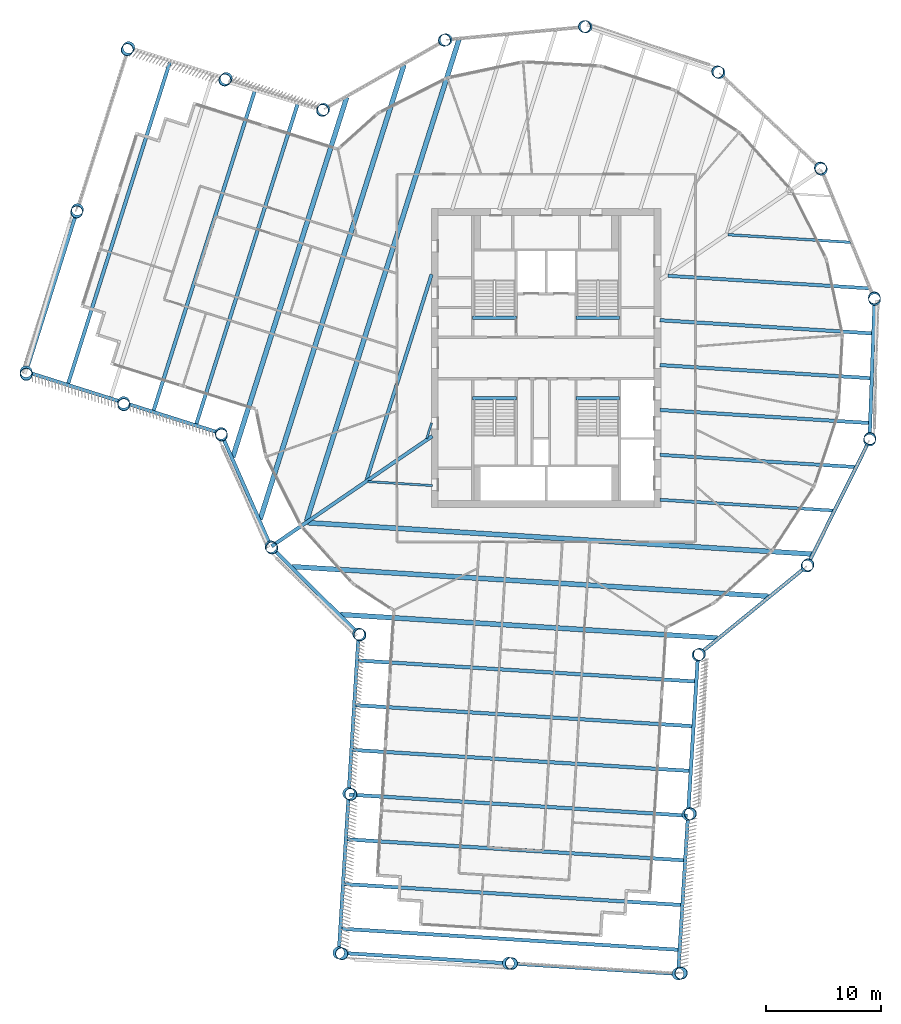
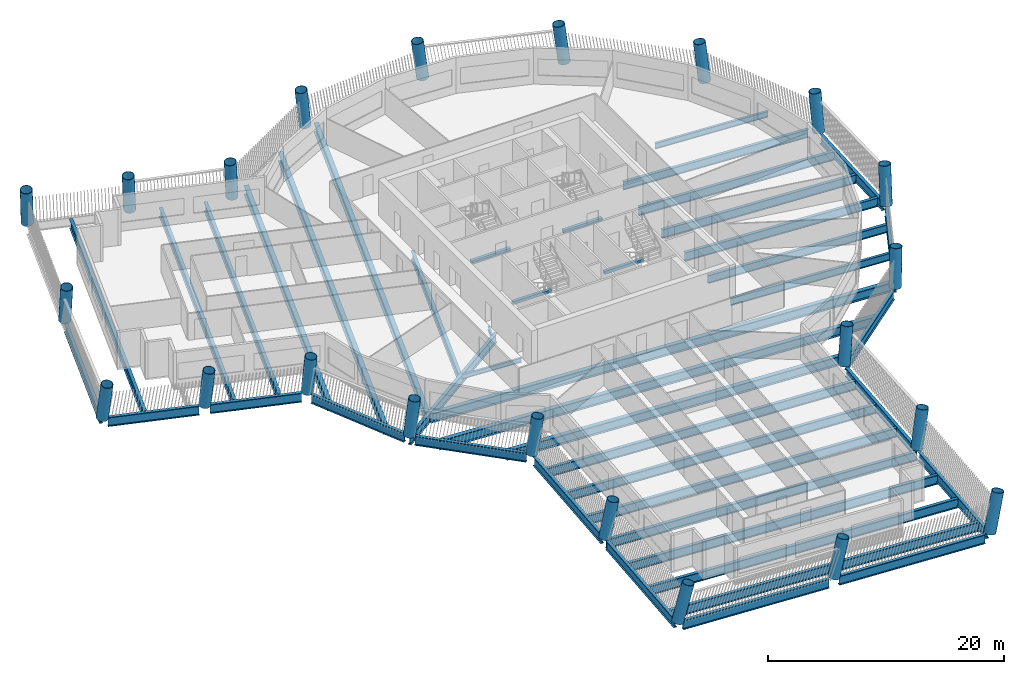
# One storey, part 1 of 15: 45 beams, 22 columns.
"""IFC4 building model written with IfcOpenShell, lengths in metres."""

from ifc_helpers import new_model, si_unit, direction, frame, origin, origin_2d, place, context, subcontext, project, spatial, rectangle, hollow_circle, i_section, extrude, material, material_profile, profile_set, type_object, element, save


model = new_model("IFC4")

# Units and contexts
model_context = context("Model", 3, precision=1e-05, world=origin(), true_north=direction((0.0, 1.0)))
body_context = subcontext(model_context, "Body", "Model", "MODEL_VIEW")
ifc_project = project(units=[si_unit("LENGTHUNIT", "METRE"), si_unit("AREAUNIT", "SQUARE_METRE"), si_unit("VOLUMEUNIT", "CUBIC_METRE"), si_unit("PLANEANGLEUNIT", "RADIAN"), si_unit("MASSUNIT", "GRAM", prefix="KILO")], contexts=[model_context])

# Site, building, storey
site_placement = place(None, origin())
site = spatial("IfcSite", under=ifc_project, at=site_placement, CompositionType="ELEMENT")
building_placement = place(site_placement, origin())
building = spatial("IfcBuilding", under=site, at=building_placement, Name="Tarsis Ring Headquarters", CompositionType="ELEMENT")
storey_placement = place(building_placement, frame((0.0, 0.0, 212.10009765625)))
storey = spatial("IfcBuildingStorey", under=building, at=storey_placement, Name="L49", CompositionType="ELEMENT", Elevation=212.10009765625)

# Columns
ifc_material_1 = material(Name="Structural steel S355", Category="steel")
ifc_material_profile_1 = material_profile(ifc_material_1, hollow_circle(Radius=0.533447265625, WallThickness=0.044921875, at=origin_2d()), Name="CHS 1067x45")
ifc_profile_set_1 = profile_set([ifc_material_profile_1], Name="Structural steel S355")
column_type = type_object("IfcColumnType", Name="XC Exo column CHS 1067x45", PredefinedType="COLUMN", material=ifc_profile_set_1)
for number, where, z_axis, x_axis, name in (
    (1, (-23.956787109375, -16.42822265625, 0.0009765625), (0.070914036471, -0.101554369495, 0.992299304377), (0.819891423709, 0.572519041892, 0.0), "Exo column XC5 F1"),
    (2, (-16.323486328125, -24.0283203125, 0.0009765625), (0.103045915897, -0.068738711087, 0.992298608693), (0.5549317501, 0.83189587854, 0.0), "Exo column XC5 AK"),
):
    element("IfcColumn", number, at=place(storey_placement, frame(where, z_axis=z_axis, x_axis=x_axis)), inside=storey, type_object=column_type, Name=name, PredefinedType="COLUMN", context=body_context, shape_type="SweptSolid", body=[
        extrude(hollow_circle(Radius=0.533447265625, WallThickness=0.044921875, at=origin_2d()), origin(), (0.0, 0.0, 1.0), 3.92822265625),
    ])
column_1_placement = place(storey_placement, frame((-17.1865234375, -37.90380859375, 0.001220703125), z_axis=(0.160889180522, -0.071348709032, 0.984390183469), x_axis=(0.405390610197, 0.914143562666, 0.0)))
element("IfcColumn", 3, at=column_1_placement, inside=storey, type_object=column_type, Name="Exo column XC5 AI1", PredefinedType="COLUMN", context=body_context, shape_type="SweptSolid", body=[
    extrude(hollow_circle(Radius=0.533447265625, WallThickness=0.044921875, at=origin_2d()), origin(), (0.0, 0.0, 1.0), 3.958984375),
])
column_2_placement = place(storey_placement, frame((-18.049560546875, -51.779296875, 0.001708984375), z_axis=(0.21711577145, -0.07367299211, 0.973361716949), x_axis=(0.321330422008, 0.946967137705, 0.0)))
element("IfcColumn", 4, at=column_2_placement, inside=storey, type_object=column_type, Name="Exo column XC5 AT1", PredefinedType="COLUMN", context=body_context, shape_type="SweptSolid", body=[
    extrude(hollow_circle(Radius=0.533447265625, WallThickness=0.044921875, at=origin_2d()), origin(), (0.0, 0.0, 1.0), 4.003173828125),
])
column_3_placement = place(storey_placement, frame((-3.278076171875, -52.6982421875, 0.00146484375), z_axis=(0.220879225283, -0.011853546253, 0.975229132707), x_axis=(0.053588173051, 0.998563121545, 0.0)))
element("IfcColumn", 5, at=column_3_placement, inside=storey, type_object=column_type, Name="Exo column XC5 AT2", PredefinedType="COLUMN", context=body_context, shape_type="SweptSolid", body=[
    extrude(hollow_circle(Radius=0.533447265625, WallThickness=0.044921875, at=origin_2d()), origin(), (0.0, 0.0, 1.0), 3.99560546875),
])
column_4_placement = place(storey_placement, frame((11.4931640625, -53.616943359375, 0.001708984375), z_axis=(0.223821575601, 0.049948193574, 0.97334941324), x_axis=(-0.217803273675, 0.975992691559, 0.0)))
element("IfcColumn", 6, at=column_4_placement, inside=storey, type_object=column_type, Name="Exo column XC5 AT3", PredefinedType="COLUMN", context=body_context, shape_type="SweptSolid", body=[
    extrude(hollow_circle(Radius=0.533447265625, WallThickness=0.044921875, at=origin_2d()), origin(), (0.0, 0.0, 1.0), 4.003173828125),
])
column_5_placement = place(storey_placement, frame((12.3564453125, -39.74169921875, 0.001220703125), z_axis=(0.167610680211, 0.053711884644, 0.984388994924), x_axis=(-0.305169800508, 0.952297953824, 0.0)))
element("IfcColumn", 7, at=column_5_placement, inside=storey, type_object=column_type, Name="Exo column XC5 AO1", PredefinedType="COLUMN", context=body_context, shape_type="SweptSolid", body=[
    extrude(hollow_circle(Radius=0.533447265625, WallThickness=0.044921875, at=origin_2d()), origin(), (0.0, 0.0, 1.0), 3.958984375),
])
for number, where, z_axis, x_axis, name in (
    (8, (13.219482421875, -25.8662109375, 0.0009765625), (0.109820309139, 0.057302957004, 0.992298277142), (-0.462600300318, 0.886566952996, 0.0), "Exo column XC5 AJ"),
    (9, (22.7060546875, -18.11767578125, 0.0009765625), (0.07644550183, 0.097452477129, 0.992299904238), (-0.786805636916, 0.617200850387, 0.0), "Exo column XC5 R1"),
    (10, (28.1552734375, -7.147705078125, 0.0009765625), (0.029459635313, 0.120262435296, 0.99230493123), (-0.971283109207, 0.237926715124, 0.0), "Exo column XC5 R2"),
    (11, (28.5986328125, 5.093017578125, 0.0009765625), (-0.022747193141, 0.121753419025, 0.992299687675), (-0.982991272629, -0.183652274519, 0.0), "Exo column XC5 R3"),
    (12, (23.956787109375, 16.42822265625, 0.0009765625), (-0.070914036471, 0.101554369495, 0.992299304377), (-0.819891423709, -0.572519041892, 0.0), "Exo column XC5 R4"),
    (13, (15.055419921875, 24.842529296875, 0.0009765625), (-0.106464516103, 0.063269630702, 0.992301496846), (-0.510874967251, -0.85965502839, 0.0), "Exo column XC5 R5"),
    (14, (3.47705078125, 28.839599609375, 0.0009765625), (-0.123059050018, 0.01379752985, 0.992303430599), (-0.111423040694, -0.993773065646, 0.0), "Exo column XC5 R6"),
    (15, (-8.719482421875, 27.708984375, 0.0009765625), (-0.117776590297, -0.038160858281, 0.992306617772), (0.308234601826, -0.951310375344, 0.0), "Exo column XC5 R7"),
    (16, (-19.36572265625, 21.651611328125, 0.0009765625), (-0.091610400888, -0.083344333508, 0.99230099089), (0.672947502559, -0.73969024517, 0.0), "Exo column XC5 BJ"),
):
    element("IfcColumn", number, at=place(storey_placement, frame(where, z_axis=z_axis, x_axis=x_axis)), inside=storey, type_object=column_type, Name=name, PredefinedType="COLUMN", context=body_context, shape_type="SweptSolid", body=[
        extrude(hollow_circle(Radius=0.533447265625, WallThickness=0.044921875, at=origin_2d()), origin(), (0.0, 0.0, 1.0), 3.92822265625),
    ])
column_6_placement = place(storey_placement, frame((-27.85302734375, 24.33740234375, 0.001220703125), z_axis=(-0.102261857739, -0.119088975286, 0.987603325438), x_axis=(0.758672078362, -0.651472698978, 0.0)))
element("IfcColumn", 17, at=column_6_placement, inside=storey, type_object=column_type, Name="Exo column XC5 BO1", PredefinedType="COLUMN", context=body_context, shape_type="SweptSolid", body=[
    extrude(hollow_circle(Radius=0.533447265625, WallThickness=0.044921875, at=origin_2d()), origin(), (0.0, 0.0, 1.0), 3.9462890625),
])
column_7_placement = place(storey_placement, frame((-36.340576171875, 27.02294921875, 0.00146484375), z_axis=(-0.112660792735, -0.15417063722, 0.981600203952), x_axis=(0.807397022973, -0.590008514594, 0.0)))
element("IfcColumn", 18, at=column_7_placement, inside=storey, type_object=column_type, Name="Exo column XC5 BT3", PredefinedType="COLUMN", context=body_context, shape_type="SweptSolid", body=[
    extrude(hollow_circle(Radius=0.533447265625, WallThickness=0.044921875, at=origin_2d()), origin(), (0.0, 0.0, 1.0), 3.969970703125),
])
column_8_placement = place(storey_placement, frame((-40.8056640625, 12.91259765625, 0.001220703125), z_axis=(-0.053109955491, -0.172822999018, 0.983519976227), x_axis=(0.955882104327, -0.293750578941, 0.0)))
element("IfcColumn", 19, at=column_8_placement, inside=storey, type_object=column_type, Name="Exo column XC5 BT2", PredefinedType="COLUMN", context=body_context, shape_type="SweptSolid", body=[
    extrude(hollow_circle(Radius=0.533447265625, WallThickness=0.044921875, at=origin_2d()), origin(), (0.0, 0.0, 1.0), 3.96240234375),
])
column_9_placement = place(storey_placement, frame((-45.270751953125, -1.19775390625, 0.00146484375), z_axis=(0.006641587676, -0.190822653322, 0.981602060049), x_axis=(0.999394854779, 0.034783965297, 0.0)))
element("IfcColumn", 20, at=column_9_placement, inside=storey, type_object=column_type, Name="Exo column XC5 BT1", PredefinedType="COLUMN", context=body_context, shape_type="SweptSolid", body=[
    extrude(hollow_circle(Radius=0.533447265625, WallThickness=0.044921875, at=origin_2d()), origin(), (0.0, 0.0, 1.0), 3.969970703125),
])
column_10_placement = place(storey_placement, frame((-36.783447265625, -3.883544921875, 0.001220703125), z_axis=(0.017817107896, -0.155899694094, 0.987612189094), x_axis=(0.993532672656, 0.113546591161, 0.0)))
element("IfcColumn", 21, at=column_10_placement, inside=storey, type_object=column_type, Name="Exo column XC5 BI1", PredefinedType="COLUMN", context=body_context, shape_type="SweptSolid", body=[
    extrude(hollow_circle(Radius=0.533447265625, WallThickness=0.044921875, at=origin_2d()), origin(), (0.0, 0.0, 1.0), 3.9462890625),
])
column_11_placement = place(storey_placement, frame((-28.2958984375, -6.5693359375, 0.0009765625), z_axis=(0.029024729661, -0.120325217608, 0.992310136538), x_axis=(0.972117741237, 0.234493277457, 0.0)))
element("IfcColumn", 22, at=column_11_placement, inside=storey, type_object=column_type, Name="Exo column XC5 BK", PredefinedType="COLUMN", context=body_context, shape_type="SweptSolid", body=[
    extrude(hollow_circle(Radius=0.533447265625, WallThickness=0.044921875, at=origin_2d()), origin(), (0.0, 0.0, 1.0), 3.92822265625),
])

# Beams
ifc_material_profile_2 = material_profile(ifc_material_1, i_section(OverallWidth=0.177734375, OverallDepth=0.406494140625, WebThickness=0.0078125, FlangeThickness=0.0126953125, at=origin_2d()), Name="W16x40")
ifc_profile_set_2 = profile_set([ifc_material_profile_2], Name="Structural steel S355")
beam_type_1 = type_object("IfcBeamType", Name="FB Floor beam W16x40", PredefinedType="JOIST", material=ifc_profile_set_2)
beam_1_placement = place(storey_placement, frame((-9.9697265625, -5.652099609375, -0.36328125), z_axis=(-0.301749990625, -0.953387089884, 0.0), x_axis=(0.953387089884, -0.301749990625, 0.0)))
element("IfcBeam", 23, at=beam_1_placement, inside=storey, type_object=beam_type_1, Name="Floor beam FB1", PredefinedType="JOIST", context=body_context, shape_type="SweptSolid", body=[
    extrude(i_section(OverallWidth=0.177734375, OverallDepth=0.406494140625, WebThickness=0.0078125, FlangeThickness=0.0126953125, at=origin_2d()), origin(), (0.0, 0.0, 1.0), 1.435302734375),
])
ifc_material_profile_3 = material_profile(ifc_material_1, i_section(OverallWidth=0.1904296875, OverallDepth=0.457275390625, WebThickness=0.009033203125, FlangeThickness=0.014404296875, at=origin_2d()), Name="W18x50")
ifc_profile_set_3 = profile_set([ifc_material_profile_3], Name="Structural steel S355")
beam_type_2 = type_object("IfcBeamType", Name="FB Floor beam W18x50", PredefinedType="JOIST", material=ifc_profile_set_3)
beam_2_placement = place(storey_placement, frame((-15.521484375, -10.757080078125, -0.388671875), z_axis=(0.998071591214, -0.062073334142, 0.0), x_axis=(0.062073334142, 0.998071591214, 0.0)))
element("IfcBeam", 24, at=beam_2_placement, inside=storey, type_object=beam_type_2, Name="Floor beam FB2", PredefinedType="JOIST", context=body_context, shape_type="SweptSolid", body=[
    extrude(i_section(OverallWidth=0.1904296875, OverallDepth=0.457275390625, WebThickness=0.009033203125, FlangeThickness=0.014404296875, at=origin_2d()), origin(), (0.0, 0.0, 1.0), 5.632080078125),
])
ifc_material_profile_4 = material_profile(ifc_material_1, i_section(OverallWidth=0.228271484375, OverallDepth=0.607177734375, WebThickness=0.01123046875, FlangeThickness=0.017333984375, at=origin_2d()), Name="W24x76")
ifc_profile_set_4 = profile_set([ifc_material_profile_4], Name="Structural steel S355")
beam_type_3 = type_object("IfcBeamType", Name="FB Floor beam W24x76", PredefinedType="JOIST", material=ifc_profile_set_4)
beam_3_placement = place(storey_placement, frame((15.82421875, 10.738037109375, -0.463623046875), z_axis=(0.998071027693, -0.062082394282, 0.0), x_axis=(0.062082394282, 0.998071027693, 0.0)))
element("IfcBeam", 25, at=beam_3_placement, inside=storey, type_object=beam_type_3, Name="Floor beam FB4", PredefinedType="JOIST", context=body_context, shape_type="SweptSolid", body=[
    extrude(i_section(OverallWidth=0.228271484375, OverallDepth=0.607177734375, WebThickness=0.01123046875, FlangeThickness=0.017333984375, at=origin_2d()), origin(), (0.0, 0.0, 1.0), 10.6845703125),
])
ifc_material_profile_5 = material_profile(ifc_material_1, i_section(OverallWidth=0.2666015625, OverallDepth=0.7568359375, WebThickness=0.013916015625, FlangeThickness=0.019287109375, at=origin_2d()), Name="W30x108")
ifc_profile_set_5 = profile_set([ifc_material_profile_5], Name="Structural steel S355")
beam_type_4 = type_object("IfcBeamType", Name="FB Floor beam W30x108", PredefinedType="JOIST", material=ifc_profile_set_5)
beam_4_placement = place(storey_placement, frame((9.900146484375, -12.338623046875, -0.53857421875), z_axis=(0.998071072811, -0.062081668943, 0.0), x_axis=(0.062081668943, 0.998071072811, 0.0)))
element("IfcBeam", 26, at=beam_4_placement, inside=storey, type_object=beam_type_4, Name="Floor beam FB6", PredefinedType="JOIST", context=body_context, shape_type="SweptSolid", body=[
    extrude(i_section(OverallWidth=0.2666015625, OverallDepth=0.7568359375, WebThickness=0.013916015625, FlangeThickness=0.019287109375, at=origin_2d()), origin(), (0.0, 0.0, 1.0), 15.16796875),
])
ifc_material_profile_6 = material_profile(ifc_material_1, i_section(OverallWidth=0.2919921875, OverallDepth=0.835693359375, WebThickness=0.013916015625, FlangeThickness=0.018798828125, at=origin_2d()), Name="W33x118")
ifc_profile_set_6 = profile_set([ifc_material_profile_6], Name="Structural steel S355")
beam_type_5 = type_object("IfcBeamType", Name="FB Floor beam W33x118", PredefinedType="JOIST", material=ifc_profile_set_6)
beam_5_placement = place(storey_placement, frame((10.60009765625, 7.155517578125, -0.577880859375), z_axis=(0.99807049346, -0.062090982317, 0.0), x_axis=(0.062090982317, 0.99807049346, 0.0)))
element("IfcBeam", 27, at=beam_5_placement, inside=storey, type_object=beam_type_5, Name="Floor beam FB7", PredefinedType="JOIST", context=body_context, shape_type="SweptSolid", body=[
    extrude(i_section(OverallWidth=0.2919921875, OverallDepth=0.835693359375, WebThickness=0.013916015625, FlangeThickness=0.018798828125, at=origin_2d()), origin(), (0.0, 0.0, 1.0), 17.564208984375),
])
beam_6_placement = place(storey_placement, frame((9.900146484375, -8.430908203125, -0.577880859375), z_axis=(0.998069973964, -0.062099332297, 0.0), x_axis=(0.062099332297, 0.998069973964, 0.0)))
element("IfcBeam", 28, at=beam_6_placement, inside=storey, type_object=beam_type_5, Name="Floor beam FB7", PredefinedType="JOIST", context=body_context, shape_type="SweptSolid", body=[
    extrude(i_section(OverallWidth=0.2919921875, OverallDepth=0.835693359375, WebThickness=0.013916015625, FlangeThickness=0.018798828125, at=origin_2d()), origin(), (0.0, 0.0, 1.0), 17.0546875),
])
ifc_material_profile_7 = material_profile(ifc_material_1, i_section(OverallWidth=0.3046875, OverallDepth=0.904296875, WebThickness=0.01513671875, FlangeThickness=0.02001953125, at=origin_2d()), Name="W36x135")
ifc_profile_set_7 = profile_set([ifc_material_profile_7], Name="Structural steel S355")
beam_type_6 = type_object("IfcBeamType", Name="FB Floor beam W36x135", PredefinedType="JOIST", material=ifc_profile_set_7)
beam_7_placement = place(storey_placement, frame((9.900146484375, 3.29150390625, -0.6123046875), z_axis=(0.998070796176, -0.062086116172, 0.0), x_axis=(0.062086116172, 0.998070796176, 0.0)))
element("IfcBeam", 29, at=beam_7_placement, inside=storey, type_object=beam_type_6, Name="Floor beam FB8", PredefinedType="JOIST", context=body_context, shape_type="SweptSolid", body=[
    extrude(i_section(OverallWidth=0.3046875, OverallDepth=0.904296875, WebThickness=0.01513671875, FlangeThickness=0.02001953125, at=origin_2d()), origin(), (0.0, 0.0, 1.0), 18.572265625),
])
beam_8_placement = place(storey_placement, frame((9.900146484375, -0.615966796875, -0.6123046875), z_axis=(0.998070832998, -0.062085524231, 0.0), x_axis=(0.062085524231, 0.998070832998, 0.0)))
element("IfcBeam", 30, at=beam_8_placement, inside=storey, type_object=beam_type_6, Name="Floor beam FB8", PredefinedType="JOIST", context=body_context, shape_type="SweptSolid", body=[
    extrude(i_section(OverallWidth=0.3046875, OverallDepth=0.904296875, WebThickness=0.01513671875, FlangeThickness=0.02001953125, at=origin_2d()), origin(), (0.0, 0.0, 1.0), 18.430908203125),
])
beam_9_placement = place(storey_placement, frame((9.900146484375, -4.5234375, -0.6123046875), z_axis=(0.998070043145, -0.062098220395, 0.0), x_axis=(0.062098220395, 0.998070043145, 0.0)))
element("IfcBeam", 31, at=beam_9_placement, inside=storey, type_object=beam_type_6, Name="Floor beam FB8", PredefinedType="JOIST", context=body_context, shape_type="SweptSolid", body=[
    extrude(i_section(OverallWidth=0.3046875, OverallDepth=0.904296875, WebThickness=0.01513671875, FlangeThickness=0.02001953125, at=origin_2d()), origin(), (0.0, 0.0, 1.0), 18.28955078125),
])
beam_10_placement = place(storey_placement, frame((-9.9697265625, 7.2744140625, -0.6123046875), z_axis=(-0.301711438156, -0.953399291003, 0.0), x_axis=(0.953399291003, -0.301711438156, 0.0)))
element("IfcBeam", 32, at=beam_10_placement, inside=storey, type_object=beam_type_6, Name="Floor beam FB8", PredefinedType="JOIST", context=body_context, shape_type="SweptSolid", body=[
    extrude(i_section(OverallWidth=0.3046875, OverallDepth=0.904296875, WebThickness=0.01513671875, FlangeThickness=0.02001953125, at=origin_2d()), origin(), (0.0, 0.0, 1.0), 18.751220703125),
])
ifc_material_profile_8 = material_profile(ifc_material_1, i_section(OverallWidth=0.309814453125, OverallDepth=0.949951171875, WebThickness=0.0244140625, FlangeThickness=0.0439453125, at=origin_2d()), Name="W36x256")
ifc_profile_set_8 = profile_set([ifc_material_profile_8], Name="Structural steel S355")
beam_type_7 = type_object("IfcBeamType", Name="FB Floor beam W36x256", PredefinedType="JOIST", material=ifc_profile_set_8)
beam_11_placement = place(storey_placement, frame((-16.411865234375, -26.331787109375, -0.635009765625), z_axis=(0.998070543853, -0.062090172272, 0.0), x_axis=(0.062090172272, 0.998070543853, 0.0)))
element("IfcBeam", 33, at=beam_11_placement, inside=storey, type_object=beam_type_7, Name="Floor beam FB11", PredefinedType="JOIST", context=body_context, shape_type="SweptSolid", body=[
    extrude(i_section(OverallWidth=0.309814453125, OverallDepth=0.949951171875, WebThickness=0.0244140625, FlangeThickness=0.0439453125, at=origin_2d()), origin(), (0.0, 0.0, 1.0), 29.490234375),
])
for number, where, z_axis, x_axis, name in (
    (34, (-16.65380859375, -30.22412109375, -0.635009765625), (0.998069998861, -0.062098932144, 0.0), (0.062098932144, 0.998069998861, 0.0), "Floor beam FB11"),
    (35, (-16.89599609375, -34.11669921875, -0.635009765625), (0.998070511937, -0.062090685309, 0.0), (0.062090685309, 0.998070511937, 0.0), "Floor beam FB11"),
    (36, (-17.13818359375, -38.00927734375, -0.635009765625), (0.998070511937, -0.062090685309, 0.0), (0.062090685309, 0.998070511937, 0.0), "Floor beam FB11"),
    (37, (-17.38037109375, -41.901611328125, -0.635009765625), (0.998069998861, -0.062098932144, 0.0), (0.062098932144, 0.998069998861, 0.0), "Floor beam FB11"),
    (38, (-17.62255859375, -45.794189453125, -0.635009765625), (0.998070511937, -0.062090685309, 0.0), (0.062090685309, 0.998070511937, 0.0), "Floor beam FB11"),
    (39, (-17.86474609375, -49.6865234375, -0.635009765625), (0.998069998861, -0.062098932144, 0.0), (0.062098932144, 0.998069998861, 0.0), "Floor beam FB11"),
):
    element("IfcBeam", number, at=place(storey_placement, frame(where, z_axis=z_axis, x_axis=x_axis)), inside=storey, type_object=beam_type_7, Name=name, PredefinedType="JOIST", context=body_context, shape_type="SweptSolid", body=[
        extrude(i_section(OverallWidth=0.309814453125, OverallDepth=0.949951171875, WebThickness=0.0244140625, FlangeThickness=0.0439453125, at=origin_2d()), origin(), (0.0, 0.0, 1.0), 29.489990234375),
    ])
for number, where, z_axis, x_axis, name in (
    (40, (-21.5791015625, 22.29443359375, -0.635009765625), (-0.301708986689, -0.953400066788, 0.0), (0.953400066788, -0.301708986689, 0.0), "Floor beam FB11"),
    (41, (-25.29736328125, 23.47119140625, -0.635009765625), (-0.301708986689, -0.953400066788, 0.0), (0.953400066788, -0.301708986689, 0.0), "Floor beam FB11"),
    (42, (-32.734130859375, 25.824462890625, -0.635009765625), (-0.301701461555, -0.953402448127, 0.0), (0.953402448127, -0.301701461555, 0.0), "Floor beam FB11"),
):
    element("IfcBeam", number, at=place(storey_placement, frame(where, z_axis=z_axis, x_axis=x_axis)), inside=storey, type_object=beam_type_7, Name=name, PredefinedType="JOIST", context=body_context, shape_type="SweptSolid", body=[
        extrude(i_section(OverallWidth=0.309814453125, OverallDepth=0.949951171875, WebThickness=0.0244140625, FlangeThickness=0.0439453125, at=origin_2d()), origin(), (0.0, 0.0, 1.0), 29.490234375),
    ])
beam_type_8 = type_object("IfcBeamType", Name="FB Floor beam W36x256 spine", PredefinedType="BEAM", material=ifc_profile_set_8)
beam_12_placement = place(storey_placement, frame((-9.91748046875, -6.80078125, -0.635009765625), z_axis=(-0.824717345698, -0.565545134984, 0.0), x_axis=(0.565545134984, -0.824717345698, 0.0)))
element("IfcBeam", 43, at=beam_12_placement, inside=storey, type_object=beam_type_8, Name="Floor beam SB11", PredefinedType="BEAM", context=body_context, shape_type="SweptSolid", body=[
    extrude(i_section(OverallWidth=0.309814453125, OverallDepth=0.949951171875, WebThickness=0.0244140625, FlangeThickness=0.0439453125, at=origin_2d()), origin(), (0.0, 0.0, 1.0), 16.96533203125),
])
ifc_material_profile_9 = material_profile(ifc_material_1, i_section(OverallWidth=0.42431640625, OverallDepth=0.947509765625, WebThickness=0.02392578125, FlangeThickness=0.042724609375, at=origin_2d()), Name="W36x302")
ifc_profile_set_9 = profile_set([ifc_material_profile_9], Name="Structural steel S355")
beam_type_9 = type_object("IfcBeamType", Name="FB Floor beam W36x302", PredefinedType="JOIST", material=ifc_profile_set_9)
beam_13_placement = place(storey_placement, frame((-20.745849609375, -14.339599609375, -0.6337890625), z_axis=(0.998070462447, -0.062091480817, 0.0), x_axis=(0.062091480817, 0.998070462447, 0.0)))
element("IfcBeam", 44, at=beam_13_placement, inside=storey, type_object=beam_type_9, Name="Floor beam FB12", PredefinedType="JOIST", context=body_context, shape_type="SweptSolid", body=[
    extrude(i_section(OverallWidth=0.42431640625, OverallDepth=0.947509765625, WebThickness=0.02392578125, FlangeThickness=0.042724609375, at=origin_2d()), origin(), (0.0, 0.0, 1.0), 43.98681640625),
])
beam_14_placement = place(storey_placement, frame((-22.087890625, -18.16357421875, -0.6337890625), z_axis=(0.998070313857, -0.062093869237, 0.0), x_axis=(0.062093869237, 0.998070313857, 0.0)))
element("IfcBeam", 45, at=beam_14_placement, inside=storey, type_object=beam_type_9, Name="Floor beam FB12", PredefinedType="JOIST", context=body_context, shape_type="SweptSolid", body=[
    extrude(i_section(OverallWidth=0.42431640625, OverallDepth=0.947509765625, WebThickness=0.02392578125, FlangeThickness=0.042724609375, at=origin_2d()), origin(), (0.0, 0.0, 1.0), 41.523681640625),
])
beam_15_placement = place(storey_placement, frame((-17.901611328125, -22.33154296875, -0.6337890625), z_axis=(0.998070481634, -0.062091172399, 0.0), x_axis=(0.062091172399, 0.998070481634, 0.0)))
element("IfcBeam", 46, at=beam_15_placement, inside=storey, type_object=beam_type_9, Name="Floor beam FB12", PredefinedType="JOIST", context=body_context, shape_type="SweptSolid", body=[
    extrude(i_section(OverallWidth=0.42431640625, OverallDepth=0.947509765625, WebThickness=0.02392578125, FlangeThickness=0.042724609375, at=origin_2d()), origin(), (0.0, 0.0, 1.0), 32.875244140625),
])
beam_16_placement = place(storey_placement, frame((-7.58056640625, 27.75146484375, -0.6337890625), z_axis=(-0.301704548823, -0.953401471165, 0.0), x_axis=(0.953401471165, -0.301704548823, 0.0)))
element("IfcBeam", 47, at=beam_16_placement, inside=storey, type_object=beam_type_9, Name="Floor beam FB12", PredefinedType="JOIST", context=body_context, shape_type="SweptSolid", body=[
    extrude(i_section(OverallWidth=0.42431640625, OverallDepth=0.947509765625, WebThickness=0.02392578125, FlangeThickness=0.042724609375, at=origin_2d()), origin(), (0.0, 0.0, 1.0), 43.98681640625),
])
beam_17_placement = place(storey_placement, frame((-12.374267578125, 25.529296875, -0.6337890625), z_axis=(-0.301702532348, -0.953402109277, 0.0), x_axis=(0.953402109277, -0.301702532348, 0.0)))
element("IfcBeam", 48, at=beam_17_placement, inside=storey, type_object=beam_type_9, Name="Floor beam FB12", PredefinedType="JOIST", context=body_context, shape_type="SweptSolid", body=[
    extrude(i_section(OverallWidth=0.42431640625, OverallDepth=0.947509765625, WebThickness=0.02392578125, FlangeThickness=0.042724609375, at=origin_2d()), origin(), (0.0, 0.0, 1.0), 41.523681640625),
])
beam_18_placement = place(storey_placement, frame((-17.36328125, 22.690673828125, -0.6337890625), z_axis=(-0.301700688535, -0.953402692747, 0.0), x_axis=(0.953402692747, -0.301700688535, 0.0)))
element("IfcBeam", 49, at=beam_18_placement, inside=storey, type_object=beam_type_9, Name="Floor beam FB12", PredefinedType="JOIST", context=body_context, shape_type="SweptSolid", body=[
    extrude(i_section(OverallWidth=0.42431640625, OverallDepth=0.947509765625, WebThickness=0.02392578125, FlangeThickness=0.042724609375, at=origin_2d()), origin(), (0.0, 0.0, 1.0), 32.875244140625),
])
ifc_material_2 = material(Name="Concrete C40/50", Category="concrete")
ifc_material_profile_10 = material_profile(ifc_material_2, rectangle(XDim=0.300048828125, YDim=0.300048828125, at=origin_2d()), Name="Stair head beam 300x300 C40/50")
ifc_profile_set_10 = profile_set([ifc_material_profile_10], Name="Concrete C40/50")
beam_type_10 = type_object("IfcBeamType", Name="Stair head beam 300x300 C40/50", PredefinedType="BEAM", material=ifc_profile_set_10)
for number, where, z_axis, x_axis, name in (
    (50, (-6.39990234375, 3.510009765625, -0.31005859375), (1.0, 0.0, 0.0), (0.0, 1.0, 0.0), "Stair head beam L49 Firefighting stair"),
    (51, (2.60009765625, 3.510009765625, -0.31005859375), (1.0, 0.0, 0.0), (0.0, 1.0, 0.0), "Stair head beam L49 Exit stair B"),
    (52, (-6.39990234375, -3.510009765625, -0.31005859375), (1.0, 0.0, 0.0), (0.0, 1.0, 0.0), "Stair head beam L49 Exit stair C"),
    (53, (2.60009765625, -3.510009765625, -0.31005859375), (1.0, 0.0, 0.0), (0.0, 1.0, 0.0), "Stair head beam L49 Exit stair D"),
):
    element("IfcBeam", number, at=place(storey_placement, frame(where, z_axis=z_axis, x_axis=x_axis)), inside=storey, type_object=beam_type_10, Name=name, PredefinedType="BEAM", context=body_context, shape_type="SweptSolid", body=[
        extrude(rectangle(XDim=0.300048828125, YDim=0.300048828125, at=origin_2d()), origin(), (0.0, 0.0, 1.0), 3.7998046875),
    ])
beam_type_11 = type_object("IfcBeamType", Name="XG Ring girder W36x256", PredefinedType="BEAM", material=ifc_profile_set_8)
beam_19_placement = place(storey_placement, frame((-23.61669921875, -16.766845703125, -0.47509765625), z_axis=(0.708635413505, -0.705574837085, 0.0), x_axis=(0.705574837085, 0.708635413505, 0.0)))
element("IfcBeam", 54, at=beam_19_placement, inside=storey, type_object=beam_type_11, Name="Ring girder XG2", PredefinedType="BEAM", context=body_context, shape_type="SweptSolid", body=[
    extrude(i_section(OverallWidth=0.309814453125, OverallDepth=0.949951171875, WebThickness=0.0244140625, FlangeThickness=0.0439453125, at=origin_2d()), origin(), (0.0, 0.0, 1.0), 9.811767578125),
])
for number, where, z_axis, x_axis, name in (
    (55, (-16.353271484375, -24.50732421875, -0.47509765625), (-0.062099949496, -0.998069935562, 0.0), (0.998069935562, -0.062099949496, 0.0), "Ring girder XG2"),
    (56, (-17.216552734375, -38.3828125, -0.47509765625), (-0.062099949496, -0.998069935562, 0.0), (0.998069935562, -0.062099949496, 0.0), "Ring girder XG2"),
):
    element("IfcBeam", number, at=place(storey_placement, frame(where, z_axis=z_axis, x_axis=x_axis)), inside=storey, type_object=beam_type_11, Name=name, PredefinedType="BEAM", context=body_context, shape_type="SweptSolid", body=[
        extrude(i_section(OverallWidth=0.309814453125, OverallDepth=0.949951171875, WebThickness=0.0244140625, FlangeThickness=0.0439453125, at=origin_2d()), origin(), (0.0, 0.0, 1.0), 12.942138671875),
    ])
beam_20_placement = place(storey_placement, frame((-17.57080078125, -51.808837890625, -0.47509765625), z_axis=(0.998070315525, -0.062093842427, 0.0), x_axis=(0.062093842427, 0.998070315525, 0.0)))
element("IfcBeam", 57, at=beam_20_placement, inside=storey, type_object=beam_type_11, Name="Ring girder XG2", PredefinedType="BEAM", context=body_context, shape_type="SweptSolid", body=[
    extrude(i_section(OverallWidth=0.309814453125, OverallDepth=0.949951171875, WebThickness=0.0244140625, FlangeThickness=0.0439453125, at=origin_2d()), origin(), (0.0, 0.0, 1.0), 13.83984375),
])
beam_21_placement = place(storey_placement, frame((-2.79931640625, -52.72802734375, -0.47509765625), z_axis=(0.998070247509, -0.062094935686, 0.0), x_axis=(0.062094935686, 0.998070247509, 0.0)))
element("IfcBeam", 58, at=beam_21_placement, inside=storey, type_object=beam_type_11, Name="Ring girder XG2", PredefinedType="BEAM", context=body_context, shape_type="SweptSolid", body=[
    extrude(i_section(OverallWidth=0.309814453125, OverallDepth=0.949951171875, WebThickness=0.0244140625, FlangeThickness=0.0439453125, at=origin_2d()), origin(), (0.0, 0.0, 1.0), 13.839599609375),
])
beam_22_placement = place(storey_placement, frame((11.522705078125, -53.137939453125, -0.47509765625), z_axis=(0.062099949496, 0.998069935562, 0.0), x_axis=(-0.998069935562, 0.062099949496, 0.0)))
element("IfcBeam", 59, at=beam_22_placement, inside=storey, type_object=beam_type_11, Name="Ring girder XG2", PredefinedType="BEAM", context=body_context, shape_type="SweptSolid", body=[
    extrude(i_section(OverallWidth=0.309814453125, OverallDepth=0.949951171875, WebThickness=0.0244140625, FlangeThickness=0.0439453125, at=origin_2d()), origin(), (0.0, 0.0, 1.0), 12.942138671875),
])
beam_23_placement = place(storey_placement, frame((12.385986328125, -39.262451171875, -0.47509765625), z_axis=(0.062082327169, 0.998071031868, 0.0), x_axis=(-0.998071031868, 0.062082327169, 0.0)))
element("IfcBeam", 60, at=beam_23_placement, inside=storey, type_object=beam_type_11, Name="Ring girder XG2", PredefinedType="BEAM", context=body_context, shape_type="SweptSolid", body=[
    extrude(i_section(OverallWidth=0.309814453125, OverallDepth=0.949951171875, WebThickness=0.0244140625, FlangeThickness=0.0439453125, at=origin_2d()), origin(), (0.0, 0.0, 1.0), 12.94189453125),
])
for number, where, z_axis, x_axis, name in (
    (61, (13.591064453125, -25.5625, -0.47509765625), (0.774494689476, 0.632580410678, 0.0), (-0.632580410678, 0.774494689476, 0.0), "Ring girder XG2"),
    (62, (22.91943359375, -17.68798828125, -0.47509765625), (0.444885037536, 0.895587686034, 0.0), (-0.895587686034, 0.444885037536, 0.0), "Ring girder XG2"),
):
    element("IfcBeam", number, at=place(storey_placement, frame(where, z_axis=z_axis, x_axis=x_axis)), inside=storey, type_object=beam_type_11, Name=name, PredefinedType="BEAM", context=body_context, shape_type="SweptSolid", body=[
        extrude(i_section(OverallWidth=0.309814453125, OverallDepth=0.949951171875, WebThickness=0.0244140625, FlangeThickness=0.0439453125, at=origin_2d()), origin(), (0.0, 0.0, 1.0), 11.288818359375),
    ])
beam_24_placement = place(storey_placement, frame((28.172607421875, -6.668212890625, -0.47509765625), z_axis=(0.036203743403, 0.999344429596, 0.0), x_axis=(-0.999344429596, 0.036203743403, 0.0)))
element("IfcBeam", 63, at=beam_24_placement, inside=storey, type_object=beam_type_11, Name="Ring girder XG2", PredefinedType="BEAM", context=body_context, shape_type="SweptSolid", body=[
    extrude(i_section(OverallWidth=0.309814453125, OverallDepth=0.949951171875, WebThickness=0.0244140625, FlangeThickness=0.0439453125, at=origin_2d()), origin(), (0.0, 0.0, 1.0), 11.28857421875),
])
beam_25_placement = place(storey_placement, frame((-40.950439453125, 12.455322265625, -0.47509765625), z_axis=(-0.301701178633, -0.953402537657, 0.0), x_axis=(0.953402537657, -0.301701178633, 0.0)))
element("IfcBeam", 64, at=beam_25_placement, inside=storey, type_object=beam_type_11, Name="Ring girder XG2", PredefinedType="BEAM", context=body_context, shape_type="SweptSolid", body=[
    extrude(i_section(OverallWidth=0.309814453125, OverallDepth=0.949951171875, WebThickness=0.0244140625, FlangeThickness=0.0439453125, at=origin_2d()), origin(), (0.0, 0.0, 1.0), 13.840087890625),
])
for number, where, z_axis, x_axis, name in (
    (65, (-44.813232421875, -1.34228515625, -0.47509765625), (0.953398977644, -0.30171242836, 0.0), (0.30171242836, 0.953398977644, 0.0), "Ring girder XG2"),
    (66, (-36.32568359375, -4.028076171875, -0.47509765625), (0.953398977644, -0.30171242836, 0.0), (0.30171242836, 0.953398977644, 0.0), "Ring girder XG2"),
):
    element("IfcBeam", number, at=place(storey_placement, frame(where, z_axis=z_axis, x_axis=x_axis)), inside=storey, type_object=beam_type_11, Name=name, PredefinedType="BEAM", context=body_context, shape_type="SweptSolid", body=[
        extrude(i_section(OverallWidth=0.309814453125, OverallDepth=0.949951171875, WebThickness=0.0244140625, FlangeThickness=0.0439453125, at=origin_2d()), origin(), (0.0, 0.0, 1.0), 7.942138671875),
    ])
beam_26_placement = place(storey_placement, frame((-28.1025390625, -7.008544921875, -0.47509765625), z_axis=(0.402832007067, -0.915273933903, 0.0), x_axis=(0.915273933903, 0.402832007067, 0.0)))
element("IfcBeam", 67, at=beam_26_placement, inside=storey, type_object=beam_type_11, Name="Ring girder XG2", PredefinedType="BEAM", context=body_context, shape_type="SweptSolid", body=[
    extrude(i_section(OverallWidth=0.309814453125, OverallDepth=0.949951171875, WebThickness=0.0244140625, FlangeThickness=0.0439453125, at=origin_2d()), origin(), (0.0, 0.0, 1.0), 9.8115234375),
])

save(model, "model.ifc")
